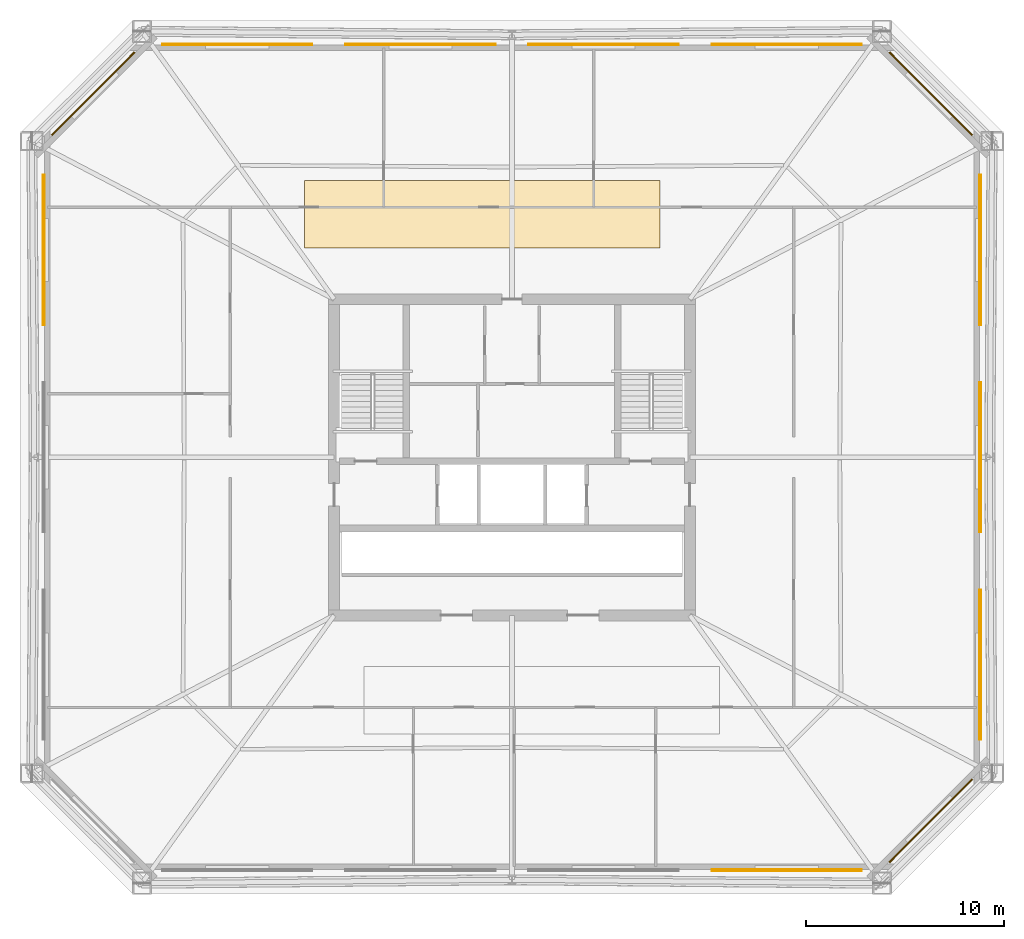
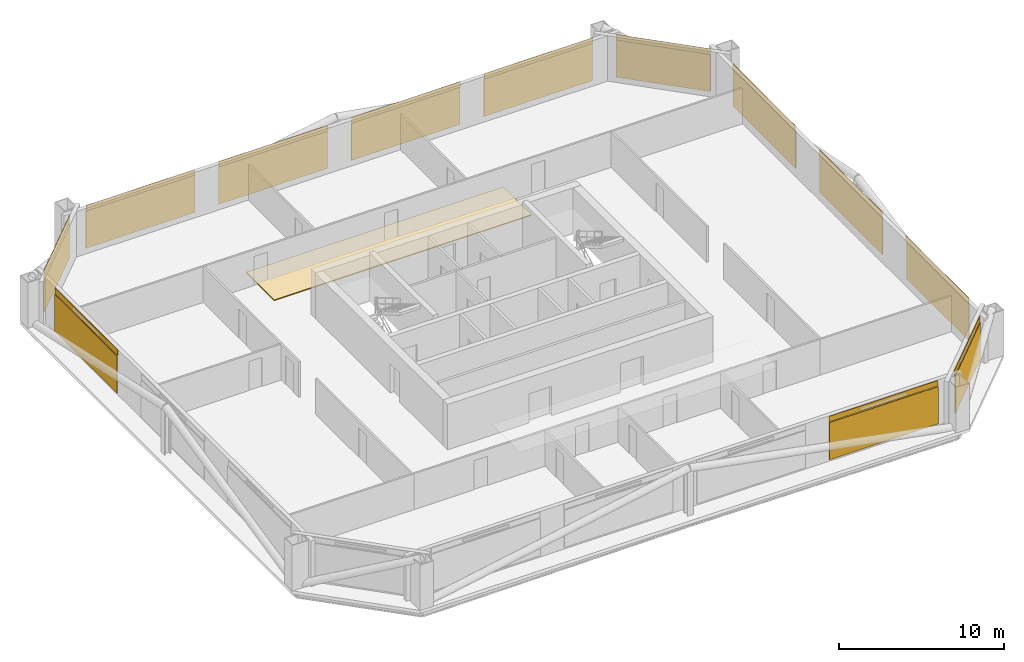
# One storey, part 6 of 6: 13 coverings, 12 shading devices.
"""IFC4 building model written with IfcOpenShell, lengths in metres."""

from ifc_helpers import new_model, si_unit, direction, frame, origin, origin_2d, place, context, subcontext, project, spatial, polyline, rectangle, outline, extrude, material, layer, layer_set, type_object, element, save


model = new_model("IFC4")

# Units and contexts
model_context = context("Model", 3, precision=1e-05, world=origin(), true_north=direction((0.0, 1.0)))
body_context = subcontext(model_context, "Body", "Model", "MODEL_VIEW")
ifc_project = project(units=[si_unit("LENGTHUNIT", "METRE"), si_unit("AREAUNIT", "SQUARE_METRE"), si_unit("VOLUMEUNIT", "CUBIC_METRE"), si_unit("PLANEANGLEUNIT", "RADIAN"), si_unit("MASSUNIT", "GRAM", prefix="KILO")], contexts=[model_context])

# Site, building, storey
site_placement = place(None, origin())
site = spatial("IfcSite", under=ifc_project, at=site_placement, CompositionType="ELEMENT")
building_placement = place(site_placement, origin())
building = spatial("IfcBuilding", under=site, at=building_placement, Name="Caelvoria Tower", CompositionType="ELEMENT")
storey_placement = place(building_placement, frame((0.0, 0.0, 95.199951171875)))
storey = spatial("IfcBuildingStorey", under=building, at=storey_placement, Name="L24", CompositionType="ELEMENT", Elevation=95.199951171875)

# Coverings
ifc_material_1 = material(Name="Perforated Architectural Bronze Cladding Screen", Category="bronze")
ifc_layer_1 = layer(ifc_material_1, 0.0400390625, Name="Perforated Architectural Bronze Cladding Screen")
ifc_layer_set_1 = layer_set([ifc_layer_1], Name="Perforated Bronze Louvre Cladding Band 40 - Perforated Architectural Bronze Cladding Screen")
covering_type_1 = type_object("IfcCoveringType", Name="Perforated Bronze Louvre Cladding Band 40", PredefinedType="CLADDING", material=ifc_layer_set_1)
covering_1_placement = place(storey_placement, frame((59.905029296875, 11.1279296875, 2.940185546875), z_axis=(0.0, 0.0, 1.0), x_axis=(1.0, 0.0, 0.0)))
element("IfcCovering", 1, at=covering_1_placement, inside=storey, type_object=covering_type_1, Name="Perforated Bronze Screen Band L24-E0-03", PredefinedType="CLADDING", context=body_context, shape_type="SweptSolid", body=[
    extrude(rectangle(XDim=7.60009765625, YDim=0.0400390625, at=origin_2d()), origin(), (0.0, 0.0, 1.0), 0.39990234375),
])
covering_2_placement = place(storey_placement, frame((67.181640625, 13.618408203125, 2.940185546875), z_axis=(0.0, 0.0, 1.0), x_axis=(0.707106781187, 0.707106781187, 0.0)))
element("IfcCovering", 2, at=covering_2_placement, inside=storey, type_object=covering_type_1, Name="Perforated Bronze Screen Band L24-E1-00", PredefinedType="CLADDING", context=body_context, shape_type="SweptSolid", body=[
    extrude(rectangle(XDim=5.93212890625, YDim=0.0400390625, at=origin_2d()), origin(), (0.0, 0.0, 1.0), 0.39990234375),
])
for number, where, z_axis, x_axis, name in (
    (3, (69.672119140625, 21.506591796875, 2.940185546875), (0.0, 0.0, 1.0), (0.0, 1.0, 0.0), "Perforated Bronze Screen Band L24-E2-00"),
    (4, (69.672119140625, 32.0, 2.940185546875), (0.0, 0.0, 1.0), (0.0, 1.0, 0.0), "Perforated Bronze Screen Band L24-E2-01"),
    (5, (69.672119140625, 42.493408203125, 2.940185546875), (0.0, 0.0, 1.0), (0.0, 1.0, 0.0), "Perforated Bronze Screen Band L24-E2-02"),
):
    element("IfcCovering", number, at=place(storey_placement, frame(where, z_axis=z_axis, x_axis=x_axis)), inside=storey, type_object=covering_type_1, Name=name, PredefinedType="CLADDING", context=body_context, shape_type="SweptSolid", body=[
        extrude(rectangle(XDim=7.60009765625, YDim=0.0400390625, at=origin_2d()), origin(), (0.0, 0.0, 1.0), 0.39990234375),
    ])
covering_3_placement = place(storey_placement, frame((67.181640625, 50.381591796875, 2.940185546875), z_axis=(0.0, 0.0, 1.0), x_axis=(-0.707106781187, 0.707106781187, 0.0)))
element("IfcCovering", 6, at=covering_3_placement, inside=storey, type_object=covering_type_1, Name="Perforated Bronze Screen Band L24-E3-00", PredefinedType="CLADDING", context=body_context, shape_type="SweptSolid", body=[
    extrude(rectangle(XDim=5.93212890625, YDim=0.0400390625, at=origin_2d()), origin(), (0.0, 0.0, 1.0), 0.39990234375),
])
for number, where, z_axis, x_axis, name in (
    (7, (59.905029296875, 52.8720703125, 2.940185546875), (0.0, 0.0, 1.0), (-1.0, 0.0, 0.0), "Perforated Bronze Screen Band L24-E4-00"),
    (8, (50.635009765625, 52.8720703125, 2.940185546875), (0.0, 0.0, 1.0), (-1.0, 0.0, 0.0), "Perforated Bronze Screen Band L24-E4-01"),
    (9, (41.364990234375, 52.8720703125, 2.940185546875), (0.0, 0.0, 1.0), (-1.0, 0.0, 0.0), "Perforated Bronze Screen Band L24-E4-02"),
    (10, (32.094970703125, 52.8720703125, 2.940185546875), (0.0, 0.0, 1.0), (-1.0, 0.0, 0.0), "Perforated Bronze Screen Band L24-E4-03"),
):
    element("IfcCovering", number, at=place(storey_placement, frame(where, z_axis=z_axis, x_axis=x_axis)), inside=storey, type_object=covering_type_1, Name=name, PredefinedType="CLADDING", context=body_context, shape_type="SweptSolid", body=[
        extrude(rectangle(XDim=7.60009765625, YDim=0.0400390625, at=origin_2d()), origin(), (0.0, 0.0, 1.0), 0.39990234375),
    ])
covering_4_placement = place(storey_placement, frame((24.818359375, 50.381591796875, 2.940185546875), z_axis=(0.0, 0.0, 1.0), x_axis=(-0.707106781187, -0.707106781187, 0.0)))
element("IfcCovering", 11, at=covering_4_placement, inside=storey, type_object=covering_type_1, Name="Perforated Bronze Screen Band L24-E5-00", PredefinedType="CLADDING", context=body_context, shape_type="SweptSolid", body=[
    extrude(rectangle(XDim=5.93212890625, YDim=0.0400390625, at=origin_2d()), origin(), (0.0, 0.0, 1.0), 0.39990234375),
])
covering_5_placement = place(storey_placement, frame((22.327880859375, 42.493408203125, 2.940185546875), z_axis=(0.0, 0.0, 1.0), x_axis=(0.0, -1.0, 0.0)))
element("IfcCovering", 12, at=covering_5_placement, inside=storey, type_object=covering_type_1, Name="Perforated Bronze Screen Band L24-E6-00", PredefinedType="CLADDING", context=body_context, shape_type="SweptSolid", body=[
    extrude(rectangle(XDim=7.60009765625, YDim=0.0400390625, at=origin_2d()), origin(), (0.0, 0.0, 1.0), 0.39990234375),
])

# Shading devices
ifc_material_2 = material(Name="Perforated Architectural Bronze Alloy Panel", Category="bronze")
ifc_layer_2 = layer(ifc_material_2, 0.044921875, Name="Perforated Architectural Bronze Alloy Panel")
ifc_layer_set_2 = layer_set([ifc_layer_2], Name="Perforated Bronze Solar Screen Panel SCREEN - Perforated Architectural Bronze Alloy Panel")
shading_device_type = type_object("IfcShadingDeviceType", Name="Perforated Bronze Solar Screen Panel SCREEN", PredefinedType="USERDEFINED", material=ifc_layer_set_2)
shading_device_1_placement = place(storey_placement, frame((59.905029296875, 11.0849609375, 0.16015625), z_axis=(0.0, 0.0, 1.0), x_axis=(1.0, 0.0, 0.0)))
element("IfcShadingDevice", 13, at=shading_device_1_placement, inside=storey, type_object=shading_device_type, Name="Perforated Bronze Solar Screen L24-E0-03", ObjectType="SCREEN", PredefinedType="USERDEFINED", context=body_context, shape_type="SweptSolid", body=[
    extrude(rectangle(XDim=7.60009765625, YDim=0.044921875, at=origin_2d()), origin(), (0.0, 0.0, 1.0), 2.75),
])
shading_device_2_placement = place(storey_placement, frame((67.212158203125, 13.587890625, 0.16015625), z_axis=(0.0, 0.0, 1.0), x_axis=(0.707106781187, 0.707106781187, 0.0)))
element("IfcShadingDevice", 14, at=shading_device_2_placement, inside=storey, type_object=shading_device_type, Name="Perforated Bronze Solar Screen L24-E1-00", ObjectType="SCREEN", PredefinedType="USERDEFINED", context=body_context, shape_type="SweptSolid", body=[
    extrude(rectangle(XDim=5.93212890625, YDim=0.044921875, at=origin_2d()), origin(), (0.0, 0.0, 1.0), 2.75),
])
for number, where, z_axis, x_axis, name in (
    (15, (69.715087890625, 21.506591796875, 0.16015625), (0.0, 0.0, 1.0), (0.0, 1.0, 0.0), "Perforated Bronze Solar Screen L24-E2-00"),
    (16, (69.715087890625, 32.0, 0.16015625), (0.0, 0.0, 1.0), (0.0, 1.0, 0.0), "Perforated Bronze Solar Screen L24-E2-01"),
    (17, (69.715087890625, 42.493408203125, 0.16015625), (0.0, 0.0, 1.0), (0.0, 1.0, 0.0), "Perforated Bronze Solar Screen L24-E2-02"),
):
    element("IfcShadingDevice", number, at=place(storey_placement, frame(where, z_axis=z_axis, x_axis=x_axis)), inside=storey, type_object=shading_device_type, Name=name, ObjectType="SCREEN", PredefinedType="USERDEFINED", context=body_context, shape_type="SweptSolid", body=[
        extrude(rectangle(XDim=7.60009765625, YDim=0.044921875, at=origin_2d()), origin(), (0.0, 0.0, 1.0), 2.75),
    ])
shading_device_3_placement = place(storey_placement, frame((67.212158203125, 50.412109375, 0.16015625), z_axis=(0.0, 0.0, 1.0), x_axis=(-0.707106781187, 0.707106781187, 0.0)))
element("IfcShadingDevice", 18, at=shading_device_3_placement, inside=storey, type_object=shading_device_type, Name="Perforated Bronze Solar Screen L24-E3-00", ObjectType="SCREEN", PredefinedType="USERDEFINED", context=body_context, shape_type="SweptSolid", body=[
    extrude(rectangle(XDim=5.93212890625, YDim=0.044921875, at=origin_2d()), origin(), (0.0, 0.0, 1.0), 2.75),
])
for number, where, z_axis, x_axis, name in (
    (19, (59.905029296875, 52.9150390625, 0.16015625), (0.0, 0.0, 1.0), (-1.0, 0.0, 0.0), "Perforated Bronze Solar Screen L24-E4-00"),
    (20, (50.635009765625, 52.9150390625, 0.16015625), (0.0, 0.0, 1.0), (-1.0, 0.0, 0.0), "Perforated Bronze Solar Screen L24-E4-01"),
    (21, (41.364990234375, 52.9150390625, 0.16015625), (0.0, 0.0, 1.0), (-1.0, 0.0, 0.0), "Perforated Bronze Solar Screen L24-E4-02"),
    (22, (32.094970703125, 52.9150390625, 0.16015625), (0.0, 0.0, 1.0), (-1.0, 0.0, 0.0), "Perforated Bronze Solar Screen L24-E4-03"),
):
    element("IfcShadingDevice", number, at=place(storey_placement, frame(where, z_axis=z_axis, x_axis=x_axis)), inside=storey, type_object=shading_device_type, Name=name, ObjectType="SCREEN", PredefinedType="USERDEFINED", context=body_context, shape_type="SweptSolid", body=[
        extrude(rectangle(XDim=7.60009765625, YDim=0.044921875, at=origin_2d()), origin(), (0.0, 0.0, 1.0), 2.75),
    ])
shading_device_4_placement = place(storey_placement, frame((24.787841796875, 50.412109375, 0.16015625), z_axis=(0.0, 0.0, 1.0), x_axis=(-0.707106781187, -0.707106781187, 0.0)))
element("IfcShadingDevice", 23, at=shading_device_4_placement, inside=storey, type_object=shading_device_type, Name="Perforated Bronze Solar Screen L24-E5-00", ObjectType="SCREEN", PredefinedType="USERDEFINED", context=body_context, shape_type="SweptSolid", body=[
    extrude(rectangle(XDim=5.93212890625, YDim=0.044921875, at=origin_2d()), origin(), (0.0, 0.0, 1.0), 2.75),
])
shading_device_5_placement = place(storey_placement, frame((22.284912109375, 42.493408203125, 0.16015625), z_axis=(0.0, 0.0, 1.0), x_axis=(0.0, -1.0, 0.0)))
element("IfcShadingDevice", 24, at=shading_device_5_placement, inside=storey, type_object=shading_device_type, Name="Perforated Bronze Solar Screen L24-E6-00", ObjectType="SCREEN", PredefinedType="USERDEFINED", context=body_context, shape_type="SweptSolid", body=[
    extrude(rectangle(XDim=7.60009765625, YDim=0.044921875, at=origin_2d()), origin(), (0.0, 0.0, 1.0), 2.75),
])

# Covering
ifc_material_3 = material(Name="Calcium-Sulphate Raised Floor Tile", Category="gypsum")
ifc_layer_3 = layer(ifc_material_3, 0.06005859375, Name="Calcium-Sulphate Raised Floor Tile")
ifc_layer_set_3 = layer_set([ifc_layer_3], Name="Raised Access Office Floor System 120 - Calcium-Sulphate Raised Floor Tile")
covering_type_2 = type_object("IfcCoveringType", Name="Raised Access Office Floor System 120", PredefinedType="FLOORING", material=ifc_layer_set_3)
covering_6_placement = place(storey_placement, origin())
element("IfcCovering", 25, at=covering_6_placement, inside=storey, type_object=covering_type_2, Name="Raised Access Flooring L24", PredefinedType="FLOORING", context=body_context, shape_type="SweptSolid", body=[
    extrude(outline(polyline([(35.5, 42.60009765625), (53.5, 42.60009765625), (53.5, 46.0), (35.5, 46.0), (35.5, 42.60009765625)])), origin(), (0.0, 0.0, 1.0), 0.06005859375),
])

save(model, "model.ifc")
